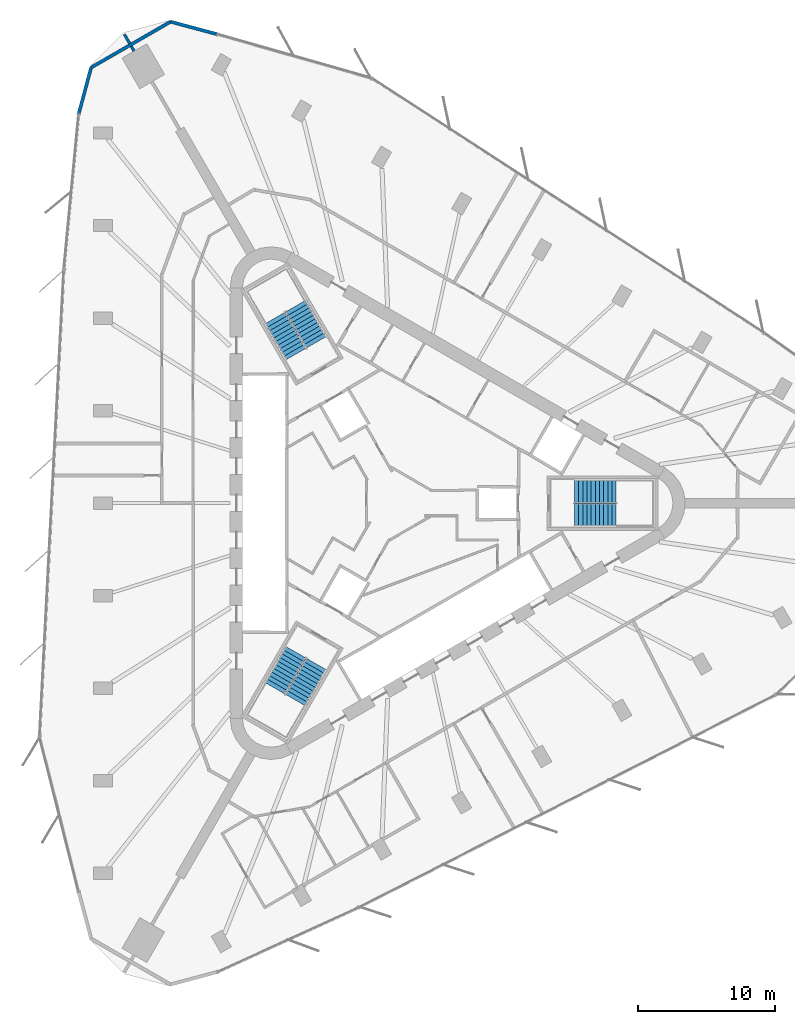
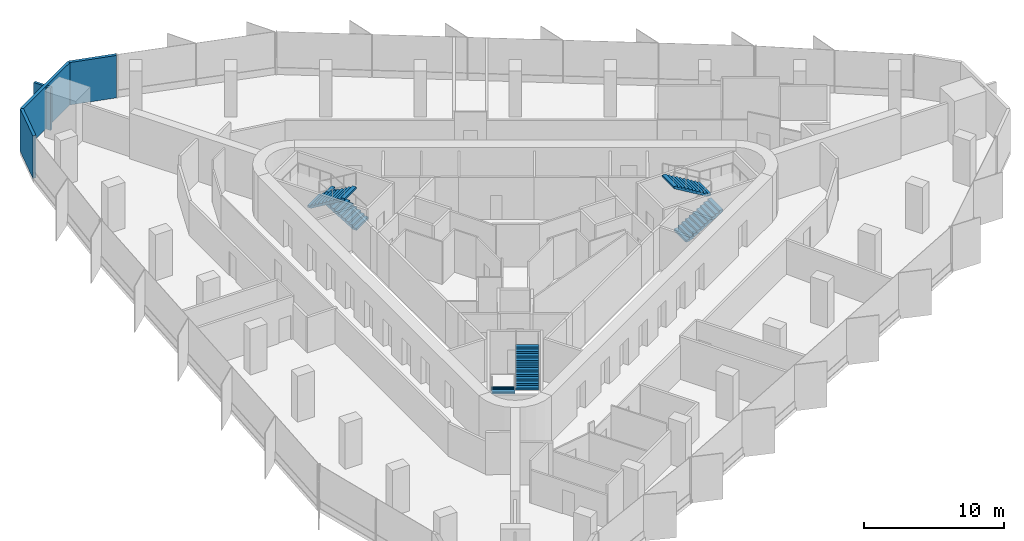
# One storey, part 13 of 14: 6 stair flights, 5 walls, 3 elements without a shape of their own.
"""IFC4 building model written with IfcOpenShell, lengths in metres."""

from ifc_helpers import new_model, si_unit, direction, frame, frame_2d, origin, place, context, subcontext, project, spatial, polyline, rectangle, outline, extrude, material, layer, layer_set, type_object, element, aggregate, save


model = new_model("IFC4")

# Units and contexts
model_context = context("Model", 3, precision=1e-05, world=origin(), true_north=direction((0.0, 1.0)))
body_context = subcontext(model_context, "Body", "Model", "MODEL_VIEW")
ifc_project = project(units=[si_unit("LENGTHUNIT", "METRE"), si_unit("AREAUNIT", "SQUARE_METRE"), si_unit("VOLUMEUNIT", "CUBIC_METRE"), si_unit("PLANEANGLEUNIT", "RADIAN"), si_unit("MASSUNIT", "GRAM", prefix="KILO")], contexts=[model_context])

# Site, building, storey
site_placement = place(None, origin())
site = spatial("IfcSite", under=ifc_project, at=site_placement, CompositionType="ELEMENT")
building_placement = place(site_placement, origin())
building = spatial("IfcBuilding", under=site, at=building_placement, Name="Tanit Gate Tower", CompositionType="ELEMENT")
storey_placement = place(building_placement, frame((0.0, 0.0, 257.199951171875)))
storey = spatial("IfcBuildingStorey", under=building, at=storey_placement, Name="L58", CompositionType="ELEMENT", Elevation=257.199951171875)

# Walls
ifc_material_1 = material(Name="Concrete C30/37 with bronze anodised aluminium cladding", Category="concrete")
ifc_layer_1 = layer(ifc_material_1, 0.239990234375)
ifc_layer_set_1 = layer_set([ifc_layer_1], Name="Facade wall bronze clad 240")
wall_type_1 = type_object("IfcWallType", Name="Facade wall bronze clad 240", PredefinedType="SOLIDWALL", material=ifc_layer_set_1)
wall_1_placement = place(storey_placement, frame((-13.072265625, 34.326171875, 0.0), z_axis=(0.0, 0.0, 1.0), x_axis=(-0.965926007748, 0.258818367886, 0.0)))
element("IfcWall", 1, at=wall_1_placement, inside=storey, type_object=wall_type_1, Name="Bronze-clad facade wall L58 NW.arc1", PredefinedType="SOLIDWALL", context=body_context, shape_type="SweptSolid", body=[
    extrude(rectangle(XDim=3.510009765625, YDim=0.239990234375, at=frame_2d((1.7548828125, 0.0))), origin(), (0.0, 0.0, 1.0), 3.699951171875),
])
wall_2_placement = place(storey_placement, frame((-16.462646484375, 35.234619140625, 0.0), z_axis=(0.0, 0.0, 1.0), x_axis=(-0.86603253074, -0.499987655547, 0.0)))
element("IfcWall", 2, at=wall_2_placement, inside=storey, type_object=wall_type_1, Name="Bronze-clad facade wall L58 NW.arc2", PredefinedType="SOLIDWALL", context=body_context, shape_type="SweptSolid", body=[
    extrude(rectangle(XDim=6.720458984375, YDim=0.239990234375, at=frame_2d((3.3603515625, 0.0))), origin(), (0.0, 0.0, 1.0), 3.699951171875),
])
wall_3_placement = place(storey_placement, frame((-22.28271484375, 31.87451171875, 0.0), z_axis=(0.0, 0.0, 1.0), x_axis=(-0.258842973314, -0.965919414426, 0.0)))
element("IfcWall", 3, at=wall_3_placement, inside=storey, type_object=wall_type_1, Name="Bronze-clad facade wall L58 NW.arc3", PredefinedType="SOLIDWALL", context=body_context, shape_type="SweptSolid", body=[
    extrude(rectangle(XDim=3.501220703125, YDim=0.239990234375, at=frame_2d((1.75048828125, 0.0))), origin(), (0.0, 0.0, 1.0), 3.699951171875),
])
ifc_material_2 = material(Name="Fire-rated gypsum board partition")
ifc_layer_2 = layer(ifc_material_2, 0.199951171875)
ifc_layer_set_2 = layer_set([ifc_layer_2], Name="INT-WALL-COMPARTMENT")
wall_type_2 = type_object("IfcWallType", Name="INT-WALL-COMPARTMENT", PredefinedType="PARTITIONING", material=ifc_layer_set_2)
wall_4_placement = place(storey_placement, frame((-19.844970703125, 34.312255859375, 0.0), z_axis=(0.0, 0.0, 1.0), x_axis=(0.500151178888, -0.865938103017, 0.0)))
element("IfcWall", 4, at=wall_4_placement, inside=storey, type_object=wall_type_2, Name="Wall Compartment W124", PredefinedType="PARTITIONING", context=body_context, shape_type="SweptSolid", body=[
    extrude(rectangle(XDim=0.772216796875, YDim=0.199951171875, at=frame_2d((0.38623046875, 0.0))), origin(), (0.0, 0.0, 1.0), 3.699951171875),
])
wall_5_placement = place(storey_placement, frame((-19.338623046875, 33.435546875, 0.0), z_axis=(0.0, 0.0, 1.0), x_axis=(0.499896243657, -0.866085299251, 0.0)))
element("IfcWall", 5, at=wall_5_placement, inside=storey, type_object=wall_type_2, Name="Wall Compartment W124x1", PredefinedType="PARTITIONING", context=body_context, shape_type="SweptSolid", body=[
    extrude(rectangle(XDim=0.4052734375, YDim=0.199951171875, at=frame_2d((0.20263671875, 0.0))), origin(), (0.0, 0.0, 1.0), 3.699951171875),
])

# Stair, stair flights
ifc_material_3 = material(Name="Concrete C40/50", Category="concrete")
stair_type = type_object("IfcStairType", Name="INT-STAIR-EXIT", PredefinedType="HALF_TURN_STAIR", material=ifc_material_3)
stair_1_placement = place(storey_placement, origin())
stair_1 = element("IfcStair", 6, at=stair_1_placement, inside=storey, type_object=stair_type, Name="L58 STAIR S1", PredefinedType="HALF_TURN_STAIR")
ifc_material_4 = material(Name="Concrete C40/50", Category="concrete")
stair_flight_type = type_object("IfcStairFlightType", Name="INT-STAIR-FLIGHT", PredefinedType="STRAIGHT", material=ifc_material_4)
stair_flight_1_placement = place(storey_placement, frame((13.094970703125, -0.8525390625, 0.0), z_axis=(0.0, 0.0, 1.0), x_axis=(1.0, 0.0, 0.0)))
stair_flight_1 = element("IfcStairFlight", 7, at=stair_flight_1_placement, type_object=stair_flight_type, Name="S1 flight 1", NumberOfRisers=11, NumberOfTreads=10, PredefinedType="STRAIGHT", RiserHeight=0.181818182, TreadLength=0.3051, context=body_context, shape_type="SweptSolid", body=[
    extrude(outline(polyline([(0.0, 0.0), (0.0, 0.181884765625), (0.30517578125, 0.181884765625), (0.30517578125, 0.363525390625), (0.610107421875, 0.363525390625), (0.610107421875, 0.54541015625), (0.915283203125, 0.54541015625), (0.915283203125, 0.727294921875), (1.220458984375, 0.727294921875), (1.220458984375, 0.9091796875), (1.525390625, 0.9091796875), (1.525390625, 1.0908203125), (1.83056640625, 1.0908203125), (1.83056640625, 1.272705078125), (2.1357421875, 1.272705078125), (2.1357421875, 1.45458984375), (2.44091796875, 1.45458984375), (2.44091796875, 1.636474609375), (2.745849609375, 1.636474609375), (2.745849609375, 1.818115234375), (3.051025390625, 1.818115234375), (3.051025390625, 2.0), (3.051025390625, 1.643798828125), (0.292724609375, 0.0), (0.0, 0.0)])), frame((0.0, 0.84765625, 0.0), z_axis=(0.0, -1.0, 0.0), x_axis=(1.0, 0.0, 0.0)), (0.0, 0.0, 1.0), 1.695068359375),
])
stair_flight_2_placement = place(storey_placement, frame((16.14599609375, 0.8525390625, 2.0), z_axis=(0.0, 0.0, 1.0), x_axis=(-1.0, 0.0, 0.0)))
stair_flight_2 = element("IfcStairFlight", 8, at=stair_flight_2_placement, type_object=stair_flight_type, Name="S1 flight 2", NumberOfRisers=11, NumberOfTreads=10, PredefinedType="STRAIGHT", RiserHeight=0.181818182, TreadLength=0.3051, context=body_context, shape_type="SweptSolid", body=[
    extrude(outline(polyline([(0.0, 0.0), (0.0, 0.181884765625), (0.30517578125, 0.181884765625), (0.30517578125, 0.363525390625), (0.610107421875, 0.363525390625), (0.610107421875, 0.54541015625), (0.915283203125, 0.54541015625), (0.915283203125, 0.727294921875), (1.220458984375, 0.727294921875), (1.220458984375, 0.9091796875), (1.525390625, 0.9091796875), (1.525390625, 1.0908203125), (1.83056640625, 1.0908203125), (1.83056640625, 1.272705078125), (2.1357421875, 1.272705078125), (2.1357421875, 1.45458984375), (2.44091796875, 1.45458984375), (2.44091796875, 1.636474609375), (2.745849609375, 1.636474609375), (2.745849609375, 1.818115234375), (3.051025390625, 1.818115234375), (3.051025390625, 2.0), (3.051025390625, 1.643798828125), (0.292724609375, 0.0), (0.0, 0.0)])), frame((0.0, 0.84765625, 0.0), z_axis=(0.0, -1.0, 0.0), x_axis=(1.0, 0.0, 0.0)), (0.0, 0.0, 1.0), 1.695068359375),
])
aggregate(stair_1, [stair_flight_1, stair_flight_2])

stair_2_placement = place(storey_placement, origin())
stair_2 = element("IfcStair", 9, at=stair_2_placement, inside=storey, type_object=stair_type, Name="L58 STAIR S2", PredefinedType="HALF_TURN_STAIR")
stair_flight_3_placement = place(storey_placement, frame((-5.808349609375, 11.766357421875, 0.0), z_axis=(0.0, 0.0, 1.0), x_axis=(-0.5, 0.866025403784, 0.0)))
stair_flight_3 = element("IfcStairFlight", 10, at=stair_flight_3_placement, type_object=stair_flight_type, Name="S2 flight 1", NumberOfRisers=11, NumberOfTreads=10, PredefinedType="STRAIGHT", RiserHeight=0.181818182, TreadLength=0.30492, context=body_context, shape_type="SweptSolid", body=[
    extrude(outline(polyline([(0.0, 0.0), (0.0, 0.181884765625), (0.304931640625, 0.181884765625), (0.304931640625, 0.363525390625), (0.60986328125, 0.363525390625), (0.60986328125, 0.54541015625), (0.914794921875, 0.54541015625), (0.914794921875, 0.727294921875), (1.2197265625, 0.727294921875), (1.2197265625, 0.9091796875), (1.524658203125, 0.9091796875), (1.524658203125, 1.0908203125), (1.82958984375, 1.0908203125), (1.82958984375, 1.272705078125), (2.134521484375, 1.272705078125), (2.134521484375, 1.45458984375), (2.439453125, 1.45458984375), (2.439453125, 1.636474609375), (2.744384765625, 1.636474609375), (2.744384765625, 1.818115234375), (3.04931640625, 1.818115234375), (3.04931640625, 2.0), (3.04931640625, 1.6435546875), (0.292724609375, 0.0), (0.0, 0.0)])), frame((0.0, 0.84716796875, 0.0), z_axis=(0.0, -1.0, 0.0), x_axis=(1.0, 0.0, 0.0)), (0.0, 0.0, 1.0), 1.694091796875),
])
stair_flight_4_placement = place(storey_placement, frame((-8.810302734375, 13.553955078125, 2.0), z_axis=(0.0, 0.0, 1.0), x_axis=(0.5, -0.866025403784, 0.0)))
stair_flight_4 = element("IfcStairFlight", 11, at=stair_flight_4_placement, type_object=stair_flight_type, Name="S2 flight 2", NumberOfRisers=11, NumberOfTreads=10, PredefinedType="STRAIGHT", RiserHeight=0.181818182, TreadLength=0.30492, context=body_context, shape_type="SweptSolid", body=[
    extrude(outline(polyline([(0.0, 0.0), (0.0, 0.181884765625), (0.304931640625, 0.181884765625), (0.304931640625, 0.363525390625), (0.60986328125, 0.363525390625), (0.60986328125, 0.54541015625), (0.914794921875, 0.54541015625), (0.914794921875, 0.727294921875), (1.2197265625, 0.727294921875), (1.2197265625, 0.9091796875), (1.524658203125, 0.9091796875), (1.524658203125, 1.0908203125), (1.82958984375, 1.0908203125), (1.82958984375, 1.272705078125), (2.134521484375, 1.272705078125), (2.134521484375, 1.45458984375), (2.439453125, 1.45458984375), (2.439453125, 1.636474609375), (2.744384765625, 1.636474609375), (2.744384765625, 1.818115234375), (3.04931640625, 1.818115234375), (3.04931640625, 2.0), (3.04931640625, 1.6435546875), (0.292724609375, 0.0), (0.0, 0.0)])), frame((0.0, 0.84716796875, 0.0), z_axis=(0.0, -1.0, 0.0), x_axis=(1.0, 0.0, 0.0)), (0.0, 0.0, 1.0), 1.694091796875),
])
aggregate(stair_2, [stair_flight_3, stair_flight_4])

stair_3_placement = place(storey_placement, origin())
stair_3 = element("IfcStair", 12, at=stair_3_placement, inside=storey, type_object=stair_type, Name="L58 STAIR S3", PredefinedType="HALF_TURN_STAIR")
stair_flight_5_placement = place(storey_placement, frame((-7.285888671875, -10.914306640625, 0.0), z_axis=(0.0, 0.0, 1.0), x_axis=(-0.5, -0.866025403784, 0.0)))
stair_flight_5 = element("IfcStairFlight", 13, at=stair_flight_5_placement, type_object=stair_flight_type, Name="S3 flight 1", NumberOfRisers=11, NumberOfTreads=10, PredefinedType="STRAIGHT", RiserHeight=0.181818182, TreadLength=0.3051, context=body_context, shape_type="SweptSolid", body=[
    extrude(outline(polyline([(0.0, 0.0), (0.0, 0.181884765625), (0.30517578125, 0.181884765625), (0.30517578125, 0.363525390625), (0.610107421875, 0.363525390625), (0.610107421875, 0.54541015625), (0.915283203125, 0.54541015625), (0.915283203125, 0.727294921875), (1.220458984375, 0.727294921875), (1.220458984375, 0.9091796875), (1.525390625, 0.9091796875), (1.525390625, 1.0908203125), (1.83056640625, 1.0908203125), (1.83056640625, 1.272705078125), (2.1357421875, 1.272705078125), (2.1357421875, 1.45458984375), (2.44091796875, 1.45458984375), (2.44091796875, 1.636474609375), (2.745849609375, 1.636474609375), (2.745849609375, 1.818115234375), (3.051025390625, 1.818115234375), (3.051025390625, 2.0), (3.051025390625, 1.643798828125), (0.292724609375, 0.0), (0.0, 0.0)])), frame((0.0, 0.84765625, 0.0), z_axis=(0.0, -1.0, 0.0), x_axis=(1.0, 0.0, 0.0)), (0.0, 0.0, 1.0), 1.695068359375),
])
stair_flight_6_placement = place(storey_placement, frame((-7.334716796875, -14.4091796875, 2.0), z_axis=(0.0, 0.0, 1.0), x_axis=(0.5, 0.866025403784, 0.0)))
stair_flight_6 = element("IfcStairFlight", 14, at=stair_flight_6_placement, type_object=stair_flight_type, Name="S3 flight 2", NumberOfRisers=11, NumberOfTreads=10, PredefinedType="STRAIGHT", RiserHeight=0.181818182, TreadLength=0.3051, context=body_context, shape_type="SweptSolid", body=[
    extrude(outline(polyline([(0.0, 0.0), (0.0, 0.181884765625), (0.30517578125, 0.181884765625), (0.30517578125, 0.363525390625), (0.610107421875, 0.363525390625), (0.610107421875, 0.54541015625), (0.915283203125, 0.54541015625), (0.915283203125, 0.727294921875), (1.220458984375, 0.727294921875), (1.220458984375, 0.9091796875), (1.525390625, 0.9091796875), (1.525390625, 1.0908203125), (1.83056640625, 1.0908203125), (1.83056640625, 1.272705078125), (2.1357421875, 1.272705078125), (2.1357421875, 1.45458984375), (2.44091796875, 1.45458984375), (2.44091796875, 1.636474609375), (2.745849609375, 1.636474609375), (2.745849609375, 1.818115234375), (3.051025390625, 1.818115234375), (3.051025390625, 2.0), (3.051025390625, 1.643798828125), (0.292724609375, 0.0), (0.0, 0.0)])), frame((0.0, 0.84765625, 0.0), z_axis=(0.0, -1.0, 0.0), x_axis=(1.0, 0.0, 0.0)), (0.0, 0.0, 1.0), 1.695068359375),
])
aggregate(stair_3, [stair_flight_5, stair_flight_6])

save(model, "model.ifc")
